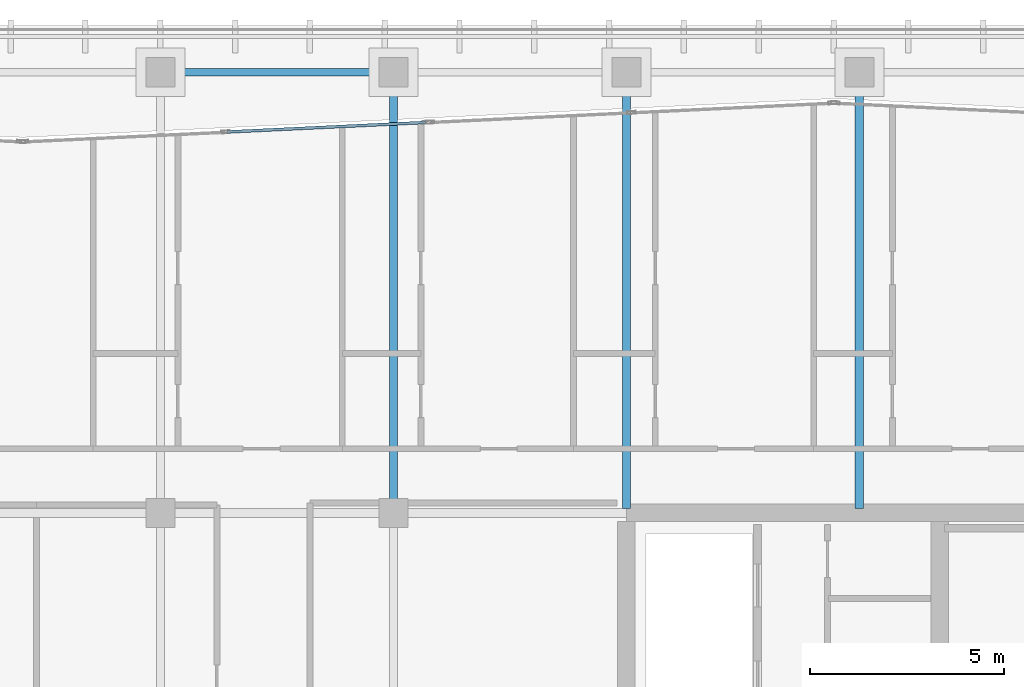
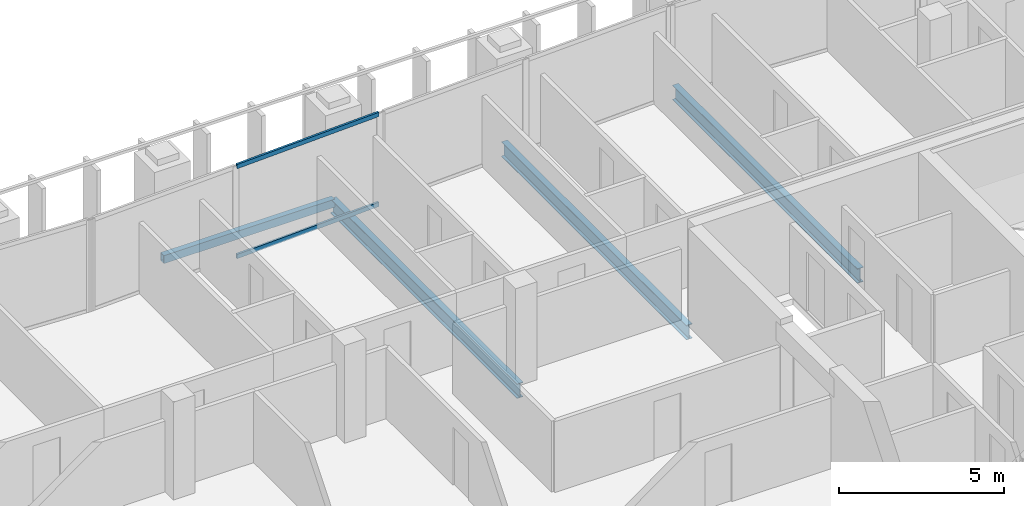
# One storey, part 14 of 31: 4 beams, 2 members, 1 element without a shape of its own.
"""IFC4 building model written with IfcOpenShell, lengths in metres."""

from ifc_helpers import new_model, si_unit, direction, frame, origin, origin_2d, place, context, subcontext, project, spatial, hollow_rectangle, i_section, extrude, material, layer, layer_set, material_profile, profile_set, type_object, element, aggregate, save


model = new_model("IFC4")

# Units and contexts
model_context = context("Model", 3, precision=1e-05, world=origin(), true_north=direction((0.0, 1.0)))
body_context = subcontext(model_context, "Body", "Model", "MODEL_VIEW")
ifc_project = project(units=[si_unit("LENGTHUNIT", "METRE"), si_unit("AREAUNIT", "SQUARE_METRE"), si_unit("VOLUMEUNIT", "CUBIC_METRE"), si_unit("PLANEANGLEUNIT", "RADIAN"), si_unit("MASSUNIT", "GRAM", prefix="KILO")], contexts=[model_context])

# Site, building, storey
site_placement = place(None, origin())
site = spatial("IfcSite", under=ifc_project, at=site_placement, CompositionType="ELEMENT")
building_placement = place(site_placement, origin())
building = spatial("IfcBuilding", under=site, at=building_placement, Name="Tanjung Sevakor Pilgrim Tower", CompositionType="ELEMENT")
storey_placement = place(building_placement, frame((0.0, 0.0, 208.22998046875)))
storey = spatial("IfcBuildingStorey", under=building, at=storey_placement, Name="L58", CompositionType="ELEMENT", Elevation=208.22998046875)

# Beams
ifc_material_1 = material(Name="Steel S355J2", Category="steel")
ifc_material_profile_1 = material_profile(ifc_material_1, i_section(OverallWidth=0.2119140625, OverallDepth=0.54443359375, WebThickness=0.0126953125, FlangeThickness=0.021240234375, FilletRadius=0.0126953125, at=origin_2d()))
ifc_profile_set_1 = profile_set([ifc_material_profile_1], Name="Steel S355J2")
beam_type_1 = type_object("IfcBeamType", Name="BM-B-G5-UB_533x210x122", PredefinedType="BEAM", material=ifc_profile_set_1)
beam_1_placement = place(storey_placement, frame((72.0, 42.60009765625, -0.4921875), z_axis=(0.0, 1.0, 0.0), x_axis=(-1.0, 0.0, 0.0)))
element("IfcBeam", 1, at=beam_1_placement, inside=storey, type_object=beam_type_1, Name="L58 MAIN Girder 020", PredefinedType="BEAM", context=body_context, shape_type="SweptSolid", body=[
    extrude(i_section(OverallWidth=0.2119140625, OverallDepth=0.54443359375, WebThickness=0.0126953125, FlangeThickness=0.021240234375, FilletRadius=0.0126953125, at=origin_2d()), origin(), (0.0, 0.0, 1.0), 11.349853515625),
])
for number, where, z_axis, x_axis, name in (
    (2, (78.0, 42.714599609375, -0.4921875), (0.0, 1.0, 0.0), (-1.0, 0.0, 0.0), "L58 MAIN Girder 022"),
    (3, (84.0, 42.714599609375, -0.4921875), (0.0, 1.0, 0.0), (-1.0, 0.0, 0.0), "L58 MAIN Girder 024"),
):
    element("IfcBeam", number, at=place(storey_placement, frame(where, z_axis=z_axis, x_axis=x_axis)), inside=storey, type_object=beam_type_1, Name=name, PredefinedType="BEAM", context=body_context, shape_type="SweptSolid", body=[
        extrude(i_section(OverallWidth=0.2119140625, OverallDepth=0.54443359375, WebThickness=0.0126953125, FlangeThickness=0.021240234375, FilletRadius=0.0126953125, at=origin_2d()), origin(), (0.0, 0.0, 1.0), 11.2353515625),
    ])
ifc_material_2 = material(Name="Steel S355J2", Category="steel")
ifc_material_profile_2 = material_profile(ifc_material_2, hollow_rectangle(XDim=0.199951171875, YDim=0.300048828125, WallThickness=0.012451171875, at=origin_2d()))
ifc_profile_set_2 = profile_set([ifc_material_profile_2], Name="Steel S355J2")
beam_type_2 = type_object("IfcBeamType", Name="BM-B-SP3-RHS_300x200x12.5", PredefinedType="SPANDREL", material=ifc_profile_set_2)
beam_2_placement = place(storey_placement, frame((66.0, 53.949951171875, -0.369873046875), z_axis=(1.0, 0.0, 0.0), x_axis=(0.0, 1.0, 0.0)))
element("IfcBeam", 4, at=beam_2_placement, inside=storey, type_object=beam_type_2, Name="L58 Spandrel MAIN N-10", PredefinedType="SPANDREL", context=body_context, shape_type="SweptSolid", body=[
    extrude(hollow_rectangle(XDim=0.199951171875, YDim=0.300048828125, WallThickness=0.012451171875, at=origin_2d()), origin(), (0.0, 0.0, 1.0), 6.0),
])

# Curtain wall, members
ifc_material_3 = material(Name="Aluminium 6063-T6 and Low-E Glass", Category="aluminium")
ifc_layer = layer(ifc_material_3, 0.199951171875)
ifc_layer_set = layer_set([ifc_layer], Name="CW-SYS-PRAY")
curtain_wall_type = type_object("IfcCurtainWallType", Name="CW-SYS-PRAY", PredefinedType="NOTDEFINED", material=ifc_layer_set)
curtain_wall_placement = place(storey_placement, origin())
curtain_wall = element("IfcCurtainWall", 5, at=curtain_wall_placement, inside=storey, type_object=curtain_wall_type, Name="L58 Curtain Wall CW-PRY-L58-22", PredefinedType="NOTDEFINED")
ifc_material_4 = material(Name="Aluminium 6063-T6", Category="aluminium")
ifc_material_profile_3 = material_profile(ifc_material_4, hollow_rectangle(XDim=0.074951171875, YDim=0.159912109375, WallThickness=0.00439453125, at=origin_2d()))
ifc_profile_set_3 = profile_set([ifc_material_profile_3], Name="Aluminium 6063-T6")
member_type = type_object("IfcMemberType", Name="TYPE-CWT-2", PredefinedType="USERDEFINED", material=ifc_profile_set_3)
member_1_placement = place(storey_placement, frame((72.830322265625, 52.656494140625, 0.03759765625), z_axis=(-0.998858409618, -0.047769001835, 0.0), x_axis=(0.047769001835, -0.998858409618, 0.0)))
member_1 = element("IfcMember", 6, at=member_1_placement, type_object=member_type, Name="CW-PRY transom 1.1", ObjectType="TRANSOM", PredefinedType="USERDEFINED", context=body_context, shape_type="SweptSolid", body=[
    extrude(hollow_rectangle(XDim=0.074951171875, YDim=0.159912109375, WallThickness=0.00439453125, at=origin_2d()), origin(), (0.0, 0.0, 1.0), 5.12109375),
])
member_2_placement = place(storey_placement, frame((72.830322265625, 52.656494140625, 3.37255859375), z_axis=(-0.998858409618, -0.047769001835, 0.0), x_axis=(0.047769001835, -0.998858409618, 0.0)))
member_2 = element("IfcMember", 7, at=member_2_placement, type_object=member_type, Name="CW-PRY transom 1.2", ObjectType="TRANSOM", PredefinedType="USERDEFINED", context=body_context, shape_type="SweptSolid", body=[
    extrude(hollow_rectangle(XDim=0.074951171875, YDim=0.159912109375, WallThickness=0.00439453125, at=origin_2d()), origin(), (0.0, 0.0, 1.0), 5.12109375),
])
aggregate(curtain_wall, [member_1, member_2])

save(model, "model.ifc")
